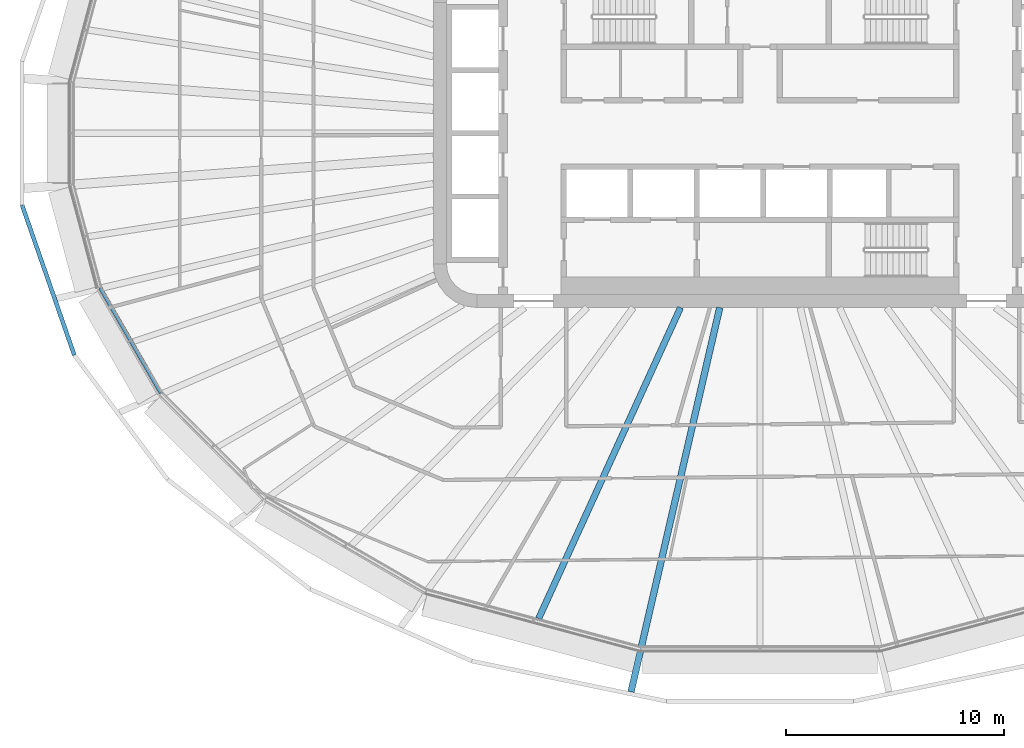
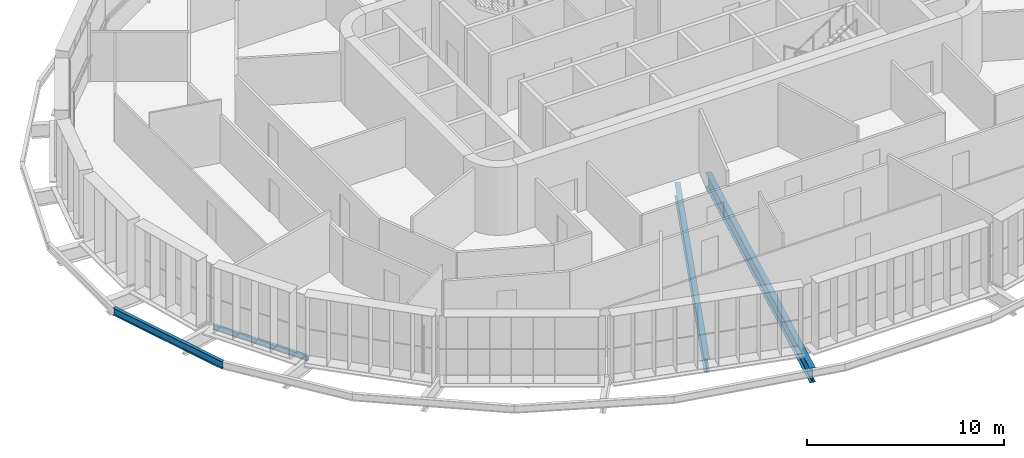
# One storey, part 2 of 26: 4 beams.
"""IFC4 building model written with IfcOpenShell, lengths in metres."""

from ifc_helpers import new_model, si_unit, direction, frame, origin, origin_2d, place, context, subcontext, project, spatial, i_section, extrude, material, material_profile, profile_set, type_object, element, save


model = new_model("IFC4")

# Units and contexts
model_context = context("Model", 3, precision=1e-05, world=origin(), true_north=direction((0.0, 1.0)))
body_context = subcontext(model_context, "Body", "Model", "MODEL_VIEW")
ifc_project = project(units=[si_unit("LENGTHUNIT", "METRE"), si_unit("AREAUNIT", "SQUARE_METRE"), si_unit("VOLUMEUNIT", "CUBIC_METRE"), si_unit("PLANEANGLEUNIT", "RADIAN"), si_unit("MASSUNIT", "GRAM", prefix="KILO")], contexts=[model_context])

# Site, building, storey
site_placement = place(None, origin())
site = spatial("IfcSite", under=ifc_project, at=site_placement, CompositionType="ELEMENT")
building_placement = place(site_placement, origin())
building = spatial("IfcBuilding", under=site, at=building_placement, Name="Sahrelin Media Tower", CompositionType="ELEMENT")
storey_placement = place(building_placement, frame((0.0, 0.0, 88.199951171875)))
storey = spatial("IfcBuildingStorey", under=building, at=storey_placement, Name="L16", CompositionType="ELEMENT", Elevation=88.199951171875)

# Beams
ifc_material = material(Name="Steel S355", Category="steel")
ifc_material_profile_1 = material_profile(ifc_material, i_section(OverallWidth=0.1650390625, OverallDepth=0.303466796875, WebThickness=0.006103515625, FlangeThickness=0.01025390625, FilletRadius=0.0087890625, at=origin_2d()), Name="UB 305x165x40")
ifc_profile_set_1 = profile_set([ifc_material_profile_1], Name="Steel S355")
beam_type_1 = type_object("IfcBeamType", Name="Edge beam EB2", PredefinedType="BEAM", material=ifc_profile_set_1)
beam_1_placement = place(storey_placement, frame((-27.500244140625, -11.923095703125, -0.3017578125), z_axis=(-0.499998387408, 0.866026334813, 0.0), x_axis=(-0.866026334813, -0.499998387408, 0.0)))
element("IfcBeam", 1, at=beam_1_placement, inside=storey, type_object=beam_type_1, Name="Edge beam L16-11", PredefinedType="BEAM", context=body_context, shape_type="SweptSolid", body=[
    extrude(i_section(OverallWidth=0.1650390625, OverallDepth=0.303466796875, WebThickness=0.006103515625, FlangeThickness=0.01025390625, FilletRadius=0.0087890625, at=origin_2d()), origin(), (0.0, 0.0, 1.0), 5.5654296875),
])
ifc_material_profile_2 = material_profile(ifc_material, i_section(OverallWidth=0.30322265625, OverallDepth=0.903076171875, WebThickness=0.01513671875, FlangeThickness=0.020263671875, FilletRadius=0.01904296875, at=origin_2d()), Name="UB 914x305x201")
ifc_profile_set_2 = profile_set([ifc_material_profile_2], Name="Steel S355")
beam_type_2 = type_object("IfcBeamType", Name="Radial primary beam PB11", PredefinedType="BEAM", material=ifc_profile_set_2)
beam_2_placement = place(storey_placement, frame((-1.847900390625, -8.0, -0.6015625), z_axis=(-0.225045636479, -0.974348223944, 0.0), x_axis=(0.974348223944, -0.225045636479, 0.0)))
element("IfcBeam", 2, at=beam_2_placement, inside=storey, type_object=beam_type_2, Name="Radial beam L16-18", PredefinedType="BEAM", context=body_context, shape_type="SweptSolid", body=[
    extrude(i_section(OverallWidth=0.30322265625, OverallDepth=0.903076171875, WebThickness=0.01513671875, FlangeThickness=0.020263671875, FilletRadius=0.01904296875, at=origin_2d()), origin(), (0.0, 0.0, 1.0), 18.10498046875),
])
ifc_material_profile_3 = material_profile(ifc_material, i_section(OverallWidth=0.291748046875, OverallDepth=0.8349609375, WebThickness=0.013916015625, FlangeThickness=0.018798828125, FilletRadius=0.017822265625, at=origin_2d()), Name="UB 838x292x176")
ifc_profile_set_3 = profile_set([ifc_material_profile_3], Name="Steel S355")
beam_type_3 = type_object("IfcBeamType", Name="Radial secondary beam SB10", PredefinedType="BEAM", material=ifc_profile_set_3)
beam_3_placement = place(storey_placement, frame((-3.6494140625, -8.0, -0.5673828125), z_axis=(-0.415038402282, -0.909803893502, 0.0), x_axis=(0.909803893502, -0.415038402282, 0.0)))
element("IfcBeam", 3, at=beam_3_placement, inside=storey, type_object=beam_type_3, Name="Secondary beam L16-17", PredefinedType="BEAM", context=body_context, shape_type="SweptSolid", body=[
    extrude(i_section(OverallWidth=0.291748046875, OverallDepth=0.8349609375, WebThickness=0.013916015625, FlangeThickness=0.018798828125, FilletRadius=0.017822265625, at=origin_2d()), origin(), (0.0, 0.0, 1.0), 15.687744140625),
])
ifc_material_profile_4 = material_profile(ifc_material, i_section(OverallWidth=0.1904296875, OverallDepth=0.45703125, WebThickness=0.009033203125, FlangeThickness=0.014404296875, FilletRadius=0.01025390625, at=origin_2d()), Name="UB 457x191x74")
ifc_profile_set_4 = profile_set([ifc_material_profile_4], Name="Steel S355")
beam_type_4 = type_object("IfcBeamType", Name="Tie chord TC5", PredefinedType="BEAM", material=ifc_profile_set_4)
beam_4_placement = place(storey_placement, frame((-33.878662109375, -3.2958984375, -0.37841796875), z_axis=(0.32878287331, -0.944405539066, 0.0), x_axis=(0.944405539066, 0.32878287331, 0.0)))
element("IfcBeam", 4, at=beam_4_placement, inside=storey, type_object=beam_type_4, Name="Tie chord L16-13", PredefinedType="BEAM", context=body_context, shape_type="SweptSolid", body=[
    extrude(i_section(OverallWidth=0.1904296875, OverallDepth=0.45703125, WebThickness=0.009033203125, FlangeThickness=0.014404296875, FilletRadius=0.01025390625, at=origin_2d()), origin(), (0.0, 0.0, 1.0), 7.29345703125),
])

save(model, "model.ifc")
